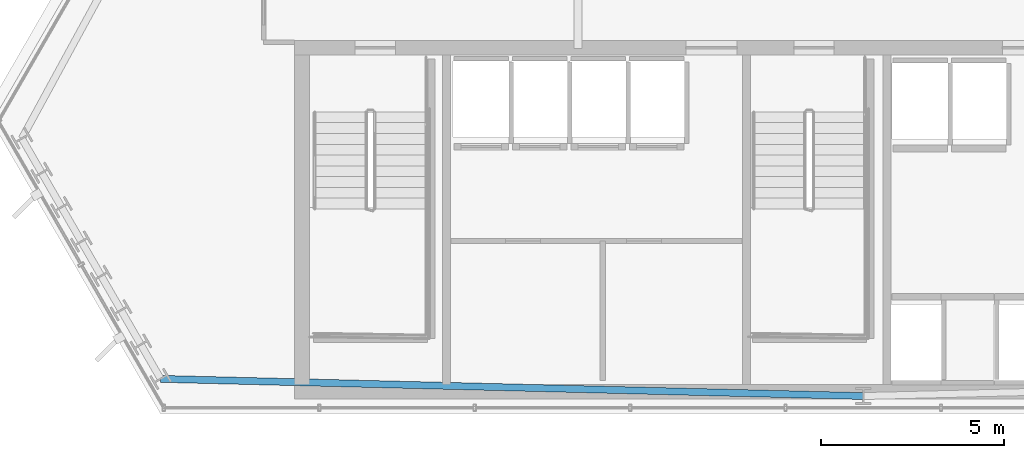
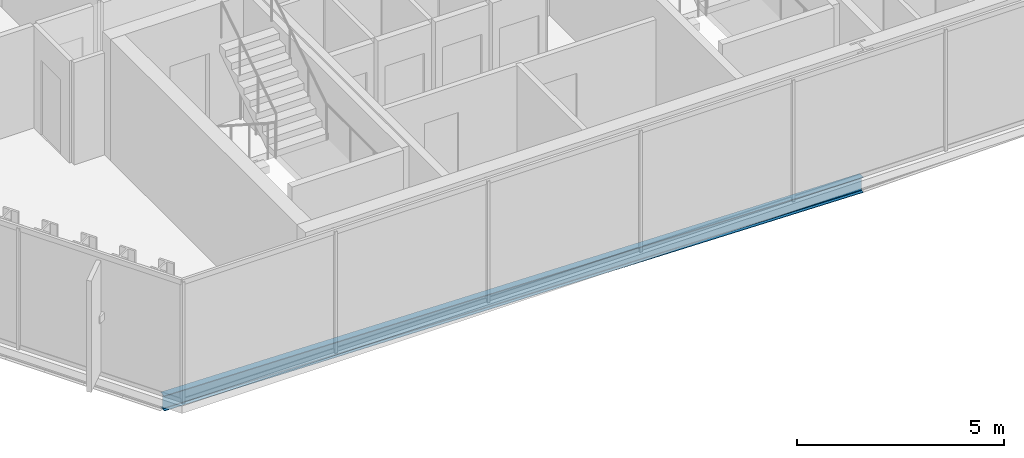
# One storey, part 3 of 34: 1 beam.
"""IFC4 building model written with IfcOpenShell, lengths in metres."""

import ifcopenshell
import ifcopenshell.guid

model = None  # the IFC model being written
_history = None  # IfcOwnerHistory: only IFC2X3 demands one
_inside = {}  # id of a spatial element -> (the spatial element, [elements in it])
_under = {}  # id of a project, library or spatial element -> (it, [spatial elements below it])
_declared = {}  # id of a project -> (the project, [libraries it declares])
_typed = {}  # id of a type object -> (the type object, [elements of that type])
_made_of = {}  # id of a material, layer set ... -> (it, [elements and type objects made of it])


def new_model(schema):
    """Start an empty IFC model of exactly this schema.

    Asked for "IFC4X3", IfcOpenShell would pick the latest addendum, in which some entities
    have other attributes; the version numbers below select the first issue.
    IFC2X3 requires an IfcOwnerHistory on every rooted entity: one is made here for all.
    """
    global model, _history
    if schema == "IFC4X3":
        model = ifcopenshell.file(schema_version=(4, 3, 0, 0))
    else:
        model = ifcopenshell.file(schema=schema)
    _inside.clear()
    _under.clear()
    _declared.clear()
    _typed.clear()
    _made_of.clear()
    _history = None
    if model.schema == "IFC2X3":
        org = make("IfcOrganization", Name="unknown")
        user = make(
            "IfcPersonAndOrganization",
            ThePerson=make("IfcPerson", FamilyName="unknown"),
            TheOrganization=org,
        )
        app = make(
            "IfcApplication",
            ApplicationDeveloper=org,
            Version="unknown",
            ApplicationFullName="unknown",
            ApplicationIdentifier="unknown",
        )
        _history = make(
            "IfcOwnerHistory",
            OwningUser=user,
            OwningApplication=app,
            ChangeAction="ADDED",
            CreationDate=0,
        )
    return model


def make(cls, **values):
    """One entity of the class cls with the attributes given. An attribute that is None is left unset."""
    return model.create_entity(
        cls, **{name: value for name, value in values.items() if value is not None}
    )


def rooted(cls, **values):
    """An entity with a GlobalId (a new one), such as an element, a storey or a relation."""
    return make(cls, GlobalId=ifcopenshell.guid.new(), OwnerHistory=_history, **values)


def si_unit(unit_type, name, prefix=None):
    """IfcSIUnit, for example si_unit("LENGTHUNIT", "METRE", prefix="MILLI")."""
    return make("IfcSIUnit", UnitType=unit_type, Prefix=prefix, Name=name)


def assignment(units):
    """IfcUnitAssignment: the units of a project."""
    return None if units is None else make("IfcUnitAssignment", Units=units)


def point(xyz):
    """IfcCartesianPoint."""
    return None if xyz is None else make("IfcCartesianPoint", Coordinates=xyz)


def direction(xyz):
    """IfcDirection."""
    return None if xyz is None else make("IfcDirection", DirectionRatios=xyz)


def frame(location, z_axis=None, x_axis=None):
    """IfcAxis2Placement3D, a coordinate frame: its origin and axes. An axis left out is left unset."""
    return make(
        "IfcAxis2Placement3D",
        Location=point(location),
        Axis=direction(z_axis),
        RefDirection=direction(x_axis),
    )


def frame_2d(location, x_axis=None):
    """IfcAxis2Placement2D, a coordinate frame in the plane: its origin and x axis."""
    return make(
        "IfcAxis2Placement2D", Location=point(location), RefDirection=direction(x_axis)
    )


def origin():
    """The frame at (0, 0, 0) with its axes left unset."""
    return frame((0.0, 0.0, 0.0))


def origin_2d():
    """The frame at (0, 0) in the plane with its x axis left unset."""
    return frame_2d((0.0, 0.0))


def place(relative_to, where):
    """IfcLocalPlacement: puts the frame where relative to a parent placement (None: the world)."""
    return make(
        "IfcLocalPlacement", PlacementRelTo=relative_to, RelativePlacement=where
    )


def context(
    kind, dimensions, precision=None, world=None, true_north=None, identifier=None
):
    """IfcGeometricRepresentationContext, for example the 3D "Model" context."""
    return make(
        "IfcGeometricRepresentationContext",
        ContextIdentifier=identifier,
        ContextType=kind,
        CoordinateSpaceDimension=dimensions,
        Precision=precision,
        WorldCoordinateSystem=world,
        TrueNorth=true_north,
    )


def subcontext(parent, identifier, kind, view, scale=None):
    """IfcGeometricRepresentationSubContext, for example "Body" below "Model"."""
    return make(
        "IfcGeometricRepresentationSubContext",
        ContextIdentifier=identifier,
        ContextType=kind,
        ParentContext=parent,
        TargetScale=scale,
        TargetView=view,
    )


def project(units=None, contexts=None):
    """IfcProject with its units and contexts."""
    return rooted(
        "IfcProject",
        Name="project",
        RepresentationContexts=contexts,
        UnitsInContext=assignment(units),
    )


def spatial(cls, under=None, at=None, **own):
    """A site, building, storey or space (cls), placed at a placement, below another one or the project."""
    s = rooted(cls, ObjectPlacement=at, **own)
    if under is not None:
        _under.setdefault(under.id(), (under, []))[1].append(s)
    return s


def profile(cls, at=None, kind="AREA", **sizes):
    """A parametric profile (cls). Its sizes go by their IFC names, for example OverallWidth=200.0."""
    return make(cls, ProfileType=kind, Position=at, **sizes)


def i_section(**sizes):
    """IfcIShapeProfileDef."""
    return profile("IfcIShapeProfileDef", **sizes)


def extrude(swept, where, along, depth):
    """IfcExtrudedAreaSolid: the profile swept, set in the frame where, extruded along a direction by depth."""
    return make(
        "IfcExtrudedAreaSolid",
        SweptArea=swept,
        Position=where,
        ExtrudedDirection=direction(along),
        Depth=depth,
    )


def shape(context_of_items, identifier, shape_type, items):
    """IfcShapeRepresentation: the items that make up one representation, for example the "Body"."""
    return make(
        "IfcShapeRepresentation",
        ContextOfItems=context_of_items,
        RepresentationIdentifier=identifier,
        RepresentationType=shape_type,
        Items=items,
    )


def material(Name=None, Category=None):
    """IfcMaterial."""
    return make("IfcMaterial", Name=Name, Category=Category)


def material_profile(
    of_material, cross_section, Name=None, Category=None, Priority=None
):
    """IfcMaterialProfile: a cross section and its material."""
    return make(
        "IfcMaterialProfile",
        Name=Name,
        Material=of_material,
        Profile=cross_section,
        Priority=Priority,
        Category=Category,
    )


def profile_set(profiles, Name=None, composite=None):
    """IfcMaterialProfileSet."""
    return make(
        "IfcMaterialProfileSet",
        Name=Name,
        MaterialProfiles=profiles,
        CompositeProfile=composite,
    )


def made_of(thing, what):
    """Note that an element or type object is made of a material, layer set ...; save() writes the relation."""
    if what is not None:
        _made_of.setdefault(what.id(), (what, []))[1].append(thing)
    return thing


def type_object(cls, material=None, **own):
    """A type object (cls), such as IfcWallType, which elements share."""
    return made_of(rooted(cls, **own), material)


def element(
    cls,
    number,
    at=None,
    inside=None,
    cuts=None,
    type_object=None,
    material=None,
    context=None,
    identifier="Body",
    shape_type=None,
    held_by="IfcProductDefinitionShape",
    body=None,
    shapes=None,
    **own,
):
    """One element of the class cls, such as IfcWall. Its Tag is "e" and its number.

    at: its placement. inside: the storey or other place that contains it. cuts: it is an
    opening in that element (IfcRelVoidsElement). A single representation is given by context,
    identifier, shape_type and body (its items); several are given by shapes. held_by: the class
    of the entity that holds the representations. save() writes the other relations.
    """
    e = rooted(cls, Tag="e%d" % number, ObjectPlacement=at, **own)
    if body is not None:
        shapes = [shape(context, identifier, shape_type, body)]
    if shapes is not None:
        e.Representation = make(held_by, Representations=shapes)
    if inside is not None:
        _inside.setdefault(inside.id(), (inside, []))[1].append(e)
    if cuts is not None:
        rooted(
            "IfcRelVoidsElement", RelatingBuildingElement=cuts, RelatedOpeningElement=e
        )
    if type_object is not None:
        _typed.setdefault(type_object.id(), (type_object, []))[1].append(e)
    return made_of(e, material)


def aggregate(whole, parts):
    """IfcRelAggregates: a whole, such as a stair, and the parts it consists of."""
    return rooted("IfcRelAggregates", RelatingObject=whole, RelatedObjects=parts)


def save(model, path):
    """Write the relations noted so far, then the file.

    IfcRelAggregates (storeys below a building ...), IfcRelContainedInSpatialStructure (elements
    in a storey), IfcRelDefinesByType, IfcRelAssociatesMaterial and IfcRelDeclares: one each for
    every whole, place, type object, material and project.
    """
    for whole, parts in _under.values():
        aggregate(whole, parts)
    for where, things in _inside.values():
        rooted(
            "IfcRelContainedInSpatialStructure",
            RelatedElements=things,
            RelatingStructure=where,
        )
    for kind, things in _typed.values():
        rooted("IfcRelDefinesByType", RelatedObjects=things, RelatingType=kind)
    for what, things in _made_of.values():
        rooted("IfcRelAssociatesMaterial", RelatedObjects=things, RelatingMaterial=what)
    for by, libraries in _declared.values():
        rooted("IfcRelDeclares", RelatingContext=by, RelatedDefinitions=libraries)
    model.write(path)


model = new_model("IFC4")

# Units and contexts
model_context = context("Model", 3, precision=1e-05, world=origin(), true_north=direction((0.0, 1.0)))
body_context = subcontext(model_context, "Body", "Model", "MODEL_VIEW")
ifc_project = project(units=[si_unit("LENGTHUNIT", "METRE"), si_unit("AREAUNIT", "SQUARE_METRE"), si_unit("VOLUMEUNIT", "CUBIC_METRE"), si_unit("PLANEANGLEUNIT", "RADIAN"), si_unit("MASSUNIT", "GRAM", prefix="KILO")], contexts=[model_context])

# Site, building, storey
site_placement = place(None, origin())
site = spatial("IfcSite", under=ifc_project, at=site_placement, CompositionType="ELEMENT")
building_placement = place(site_placement, origin())
building = spatial("IfcBuilding", under=site, at=building_placement, Name="Ndaravel Arena Tower", CompositionType="ELEMENT")
storey_placement = place(building_placement, frame((0.0, 0.0, 191.60009765625)))
storey = spatial("IfcBuildingStorey", under=building, at=storey_placement, Name="L46", CompositionType="ELEMENT", Elevation=191.60009765625)

# Beam
ifc_material = material(Name="Steel S355", Category="steel")
ifc_material_profile = material_profile(ifc_material, i_section(OverallWidth=0.18994140625, OverallDepth=0.449951171875, WebThickness=0.009521484375, FlangeThickness=0.0146484375, FilletRadius=0.02099609375, at=origin_2d()), Name="IPE 450")
ifc_profile_set = profile_set([ifc_material_profile], Name="Steel S355")
beam_type = type_object("IfcBeamType", Name="BM-SPAN-IPE450", PredefinedType="SPANDREL", material=ifc_profile_set)
beam_placement = place(storey_placement, frame((22.784912109375, 5.94970703125, -0.445068359375), z_axis=(0.999701337361, -0.02443841399, 0.0), x_axis=(0.02443841399, 0.999701337361, 0.0)))
element("IfcBeam", 1, at=beam_placement, inside=storey, type_object=beam_type, Name="L46 Perimeter Spandrel Beam SP-27", PredefinedType="SPANDREL", context=body_context, shape_type="SweptSolid", body=[
    extrude(i_section(OverallWidth=0.18994140625, OverallDepth=0.449951171875, WebThickness=0.009521484375, FlangeThickness=0.0146484375, FilletRadius=0.02099609375, at=origin_2d()), origin(), (0.0, 0.0, 1.0), 19.220947265625),
])

save(model, "model.ifc")
